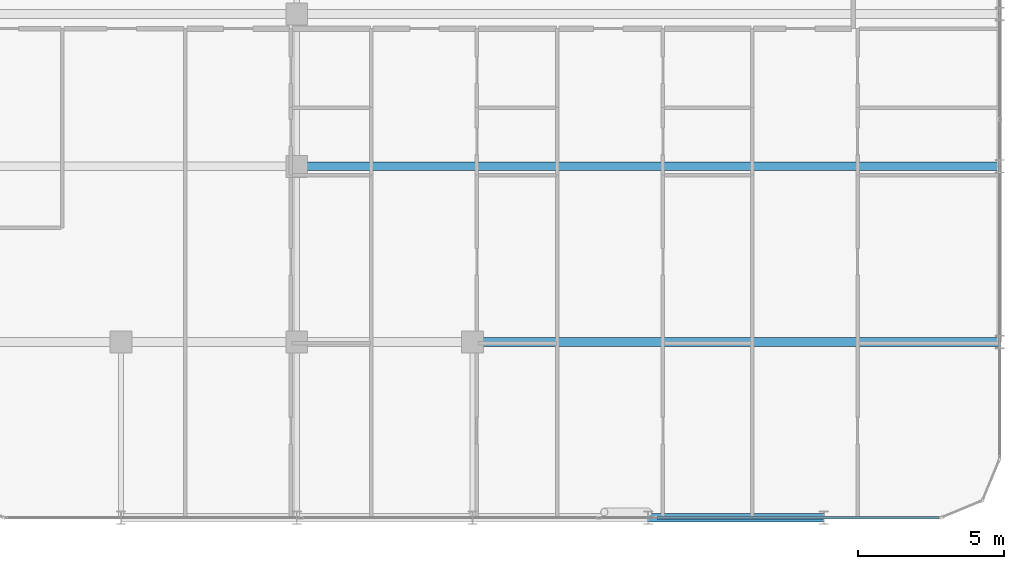
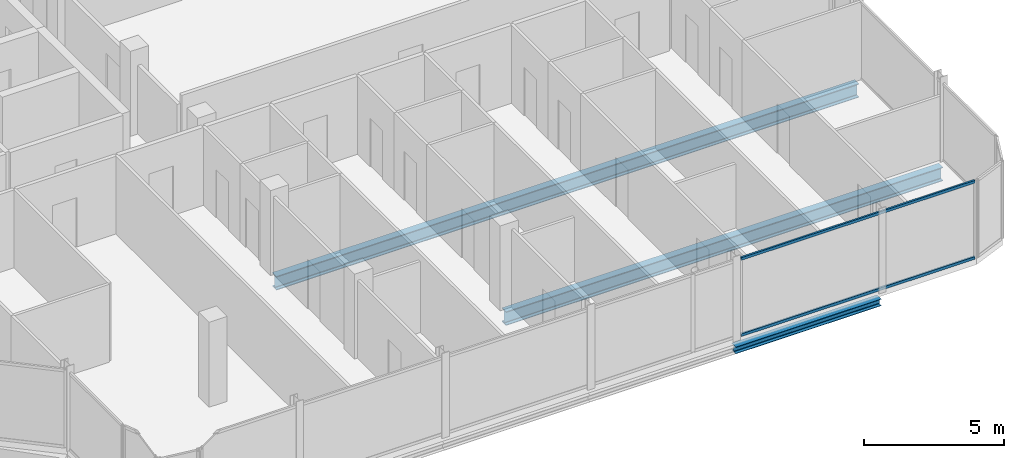
# One storey, part 11 of 29: 3 beams, 2 members, 1 element without a shape of its own.
"""IFC4 building model written with IfcOpenShell, lengths in metres."""

from ifc_helpers import new_model, si_unit, direction, frame, origin, origin_2d, place, context, subcontext, project, spatial, hollow_rectangle, i_section, extrude, material, layer, layer_set, material_profile, profile_set, type_object, element, aggregate, save


model = new_model("IFC4")

# Units and contexts
model_context = context("Model", 3, precision=1e-05, world=origin(), true_north=direction((0.0, 1.0)))
body_context = subcontext(model_context, "Body", "Model", "MODEL_VIEW")
ifc_project = project(units=[si_unit("LENGTHUNIT", "METRE"), si_unit("AREAUNIT", "SQUARE_METRE"), si_unit("VOLUMEUNIT", "CUBIC_METRE"), si_unit("PLANEANGLEUNIT", "RADIAN"), si_unit("MASSUNIT", "GRAM", prefix="KILO")], contexts=[model_context])

# Site, building, storey
site_placement = place(None, origin())
site = spatial("IfcSite", under=ifc_project, at=site_placement, CompositionType="ELEMENT")
building_placement = place(site_placement, origin())
building = spatial("IfcBuilding", under=site, at=building_placement, Name="Keshet Zoharim Tower", CompositionType="ELEMENT")
storey_placement = place(building_placement, frame((0.0, 0.0, 222.800048828125)))
storey = spatial("IfcBuildingStorey", under=building, at=storey_placement, Name="L55", CompositionType="ELEMENT", Elevation=222.800048828125)

# Beams
ifc_material_1 = material(Name="Steel S355", Category="steel")
ifc_material_profile_1 = material_profile(ifc_material_1, i_section(OverallWidth=0.300048828125, OverallDepth=0.60009765625, WebThickness=0.015380859375, FlangeThickness=0.030029296875, FilletRadius=0.027099609375, at=origin_2d()), Name="HEB600")
ifc_profile_set_1 = profile_set([ifc_material_profile_1], Name="Steel S355")
beam_type_1 = type_object("IfcBeamType", Name="BM-LNG-HB600", PredefinedType="BEAM", material=ifc_profile_set_1)
beam_1_placement = place(storey_placement, frame((39.0, 6.699951171875, -0.610107421875), z_axis=(1.0, 0.0, 0.0), x_axis=(0.0, 1.0, 0.0)))
element("IfcBeam", 1, at=beam_1_placement, inside=storey, type_object=beam_type_1, Name="L55 Primary Girder X-008", PredefinedType="BEAM", context=body_context, shape_type="SweptSolid", body=[
    extrude(i_section(OverallWidth=0.300048828125, OverallDepth=0.60009765625, WebThickness=0.015380859375, FlangeThickness=0.030029296875, FilletRadius=0.027099609375, at=origin_2d()), origin(), (0.0, 0.0, 1.0), 18.0),
])
beam_2_placement = place(storey_placement, frame((33.0, 12.699951171875, -0.610107421875), z_axis=(1.0, 0.0, 0.0), x_axis=(0.0, 1.0, 0.0)))
element("IfcBeam", 2, at=beam_2_placement, inside=storey, type_object=beam_type_1, Name="L55 Primary Girder X-010", PredefinedType="BEAM", context=body_context, shape_type="SweptSolid", body=[
    extrude(i_section(OverallWidth=0.300048828125, OverallDepth=0.60009765625, WebThickness=0.015380859375, FlangeThickness=0.030029296875, FilletRadius=0.027099609375, at=origin_2d()), origin(), (0.0, 0.0, 1.0), 24.0),
])
ifc_material_profile_2 = material_profile(ifc_material_1, i_section(OverallWidth=0.300048828125, OverallDepth=0.300048828125, WebThickness=0.010986328125, FlangeThickness=0.01904296875, FilletRadius=0.027099609375, at=origin_2d()), Name="HEB300")
ifc_profile_set_2 = profile_set([ifc_material_profile_2], Name="Steel S355")
beam_type_2 = type_object("IfcBeamType", Name="BM-PRI-HB300", PredefinedType="BEAM", material=ifc_profile_set_2)
beam_3_placement = place(storey_placement, frame((45.0, 0.699951171875, -0.4599609375), z_axis=(1.0, 0.0, 0.0), x_axis=(0.0, 1.0, 0.0)))
element("IfcBeam", 3, at=beam_3_placement, inside=storey, type_object=beam_type_2, Name="L55 Primary Girder X-004", PredefinedType="BEAM", context=body_context, shape_type="SweptSolid", body=[
    extrude(i_section(OverallWidth=0.300048828125, OverallDepth=0.300048828125, WebThickness=0.010986328125, FlangeThickness=0.01904296875, FilletRadius=0.027099609375, at=origin_2d()), origin(), (0.0, 0.0, 1.0), 6.0),
])

# Curtain wall, members
ifc_material_2 = material(Name="Aluminium 6063-T6", Category="aluminium")
ifc_layer = layer(ifc_material_2, 0.139892578125)
ifc_layer_set = layer_set([ifc_layer], Name="Aluminium 6063-T6")
curtain_wall_type = type_object("IfcCurtainWallType", Name="CW-SYS-05", PredefinedType="NOTDEFINED", material=ifc_layer_set)
curtain_wall_placement = place(storey_placement, origin())
curtain_wall = element("IfcCurtainWall", 4, at=curtain_wall_placement, inside=storey, type_object=curtain_wall_type, Name="L55 Unitised Curtain Wall 06", PredefinedType="NOTDEFINED")
ifc_material_profile_3 = material_profile(ifc_material_2, hollow_rectangle(XDim=0.074951171875, YDim=0.1201171875, WallThickness=0.00390625, at=origin_2d()), Name="TRN-75x120")
ifc_profile_set_3 = profile_set([ifc_material_profile_3], Name="Aluminium 6063-T6")
member_type = type_object("IfcMemberType", Name="CWT-T12", PredefinedType="USERDEFINED", material=ifc_profile_set_3)
member_1_placement = place(storey_placement, frame((54.929931640625, 0.699951171875, 0.034912109375), z_axis=(-1.0, 0.0, 0.0), x_axis=(0.0, -1.0, 0.0)))
member_1 = element("IfcMember", 5, at=member_1_placement, type_object=member_type, Name="CW-05 transom 1.1", ObjectType="TRANSOM", PredefinedType="USERDEFINED", context=body_context, shape_type="SweptSolid", body=[
    extrude(hollow_rectangle(XDim=0.074951171875, YDim=0.1201171875, WallThickness=0.00390625, at=origin_2d()), origin(), (0.0, 0.0, 1.0), 9.635009765625),
])
member_2_placement = place(storey_placement, frame((54.929931640625, 0.699951171875, 3.35498046875), z_axis=(-1.0, 0.0, 0.0), x_axis=(0.0, -1.0, 0.0)))
member_2 = element("IfcMember", 6, at=member_2_placement, type_object=member_type, Name="CW-05 transom 1.2", ObjectType="TRANSOM", PredefinedType="USERDEFINED", context=body_context, shape_type="SweptSolid", body=[
    extrude(hollow_rectangle(XDim=0.074951171875, YDim=0.1201171875, WallThickness=0.00390625, at=origin_2d()), origin(), (0.0, 0.0, 1.0), 9.635009765625),
])
aggregate(curtain_wall, [member_1, member_2])

save(model, "model.ifc")
